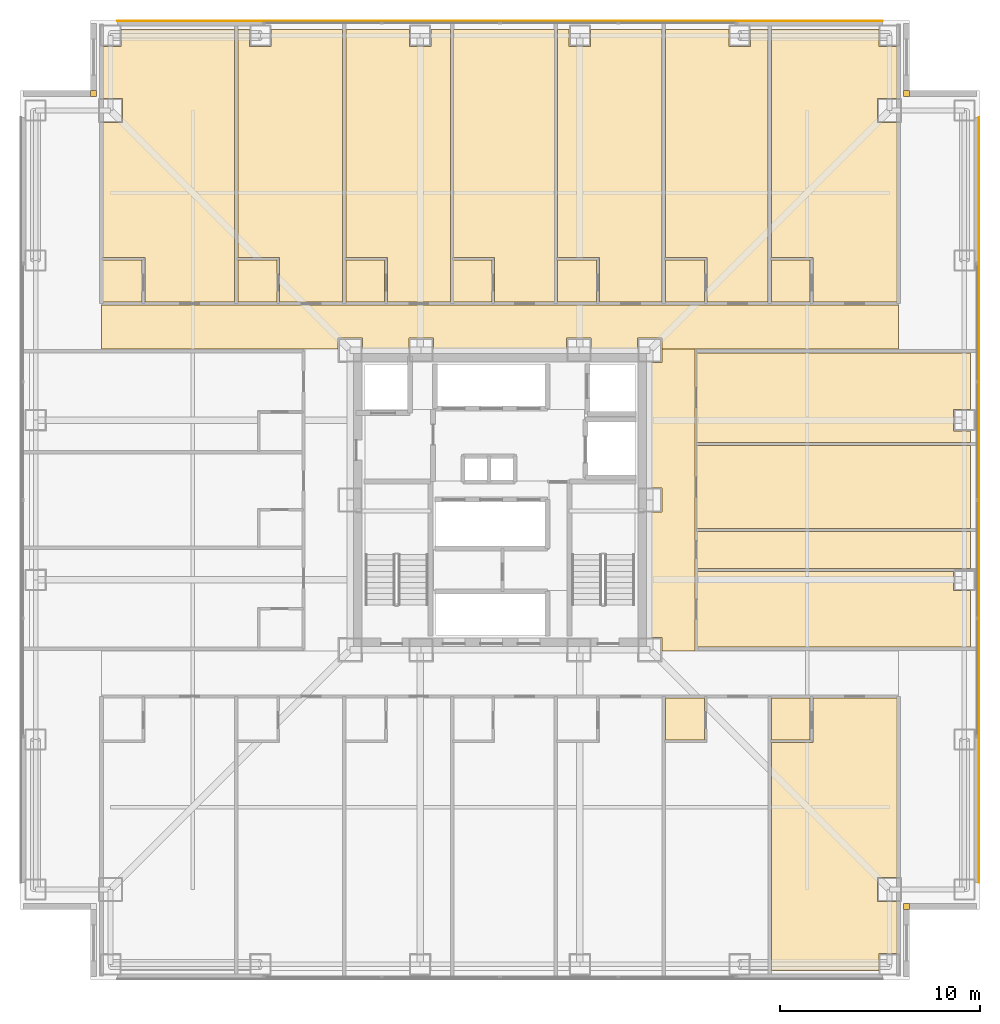
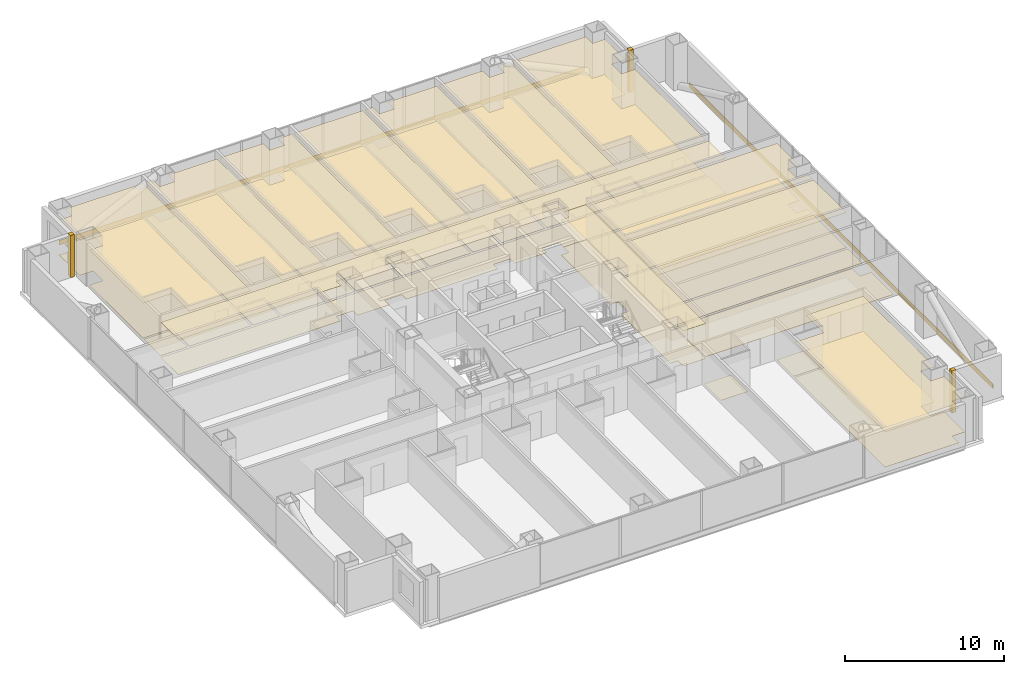
# One storey, part 23 of 23: 40 coverings.
"""IFC4 building model written with IfcOpenShell, lengths in metres."""

from ifc_helpers import new_model, si_unit, direction, frame, frame_2d, origin, place, context, subcontext, project, spatial, polyline, rectangle, outline, extrude, material, layer, layer_set, type_object, element, save


model = new_model("IFC4")

# Units and contexts
model_context = context("Model", 3, precision=1e-05, world=origin(), true_north=direction((0.0, 1.0)))
body_context = subcontext(model_context, "Body", "Model", "MODEL_VIEW")
ifc_project = project(units=[si_unit("LENGTHUNIT", "METRE"), si_unit("AREAUNIT", "SQUARE_METRE"), si_unit("VOLUMEUNIT", "CUBIC_METRE"), si_unit("PLANEANGLEUNIT", "RADIAN"), si_unit("MASSUNIT", "GRAM", prefix="KILO")], contexts=[model_context])

# Site, building, storey
site_placement = place(None, origin())
site = spatial("IfcSite", under=ifc_project, at=site_placement, CompositionType="ELEMENT")
building_placement = place(site_placement, origin())
building = spatial("IfcBuilding", under=site, at=building_placement, Name="Trevonay Congress Spire", CompositionType="ELEMENT")
storey_placement = place(building_placement, frame((0.0, 0.0, 34.0)))
storey = spatial("IfcBuildingStorey", under=building, at=storey_placement, Name="L07", CompositionType="ELEMENT", Elevation=34.0)

# Coverings
ifc_material_1 = material(Name="Acoustic Mineral Fibre Board", Category="gypsum")
ifc_layer_1 = layer(ifc_material_1, 0.02490234375, Name="Acoustic Mineral Fibre Board")
ifc_layer_set_1 = layer_set([ifc_layer_1], Name="Acoustic Mineral Fibre Board")
covering_type_1 = type_object("IfcCoveringType", Name="COV-CEIL-ACOUSTIC", PredefinedType="CEILING", material=ifc_layer_set_1)
covering_1_placement = place(storey_placement, frame((0.0, 0.0, 2.699951171875)))
element("IfcCovering", 1, at=covering_1_placement, inside=storey, type_object=covering_type_1, Name="L07 Hotel Floor Corridor North acoustic suspended ceiling", PredefinedType="CEILING", context=body_context, shape_type="SweptSolid", body=[
    extrude(outline(polyline([(-19.949951171875, 7.550048828125), (-19.949951171875, 9.75), (19.949951171875, 9.75), (19.949951171875, 7.550048828125), (8.110107421875, 7.550048828125), (8.110107421875, 8.110107421875), (6.889892578125, 8.110107421875), (6.889892578125, 7.550048828125), (4.56005859375, 7.550048828125), (4.56005859375, 8.110107421875), (3.340087890625, 8.110107421875), (3.340087890625, 7.550048828125), (-3.340087890625, 7.550048828125), (-3.340087890625, 8.110107421875), (-4.56005859375, 8.110107421875), (-4.56005859375, 7.550048828125), (-6.889892578125, 7.550048828125), (-6.889892578125, 8.110107421875), (-8.110107421875, 8.110107421875), (-8.110107421875, 7.550048828125), (-19.949951171875, 7.550048828125)])), origin(), (0.0, 0.0, 1.0), 0.025146484375),
])
covering_2_placement = place(storey_placement, frame((0.0, 0.0, 2.699951171875)))
element("IfcCovering", 2, at=covering_2_placement, inside=storey, type_object=covering_type_1, Name="L07 Hotel Floor Corridor East acoustic suspended ceiling", PredefinedType="CEILING", context=body_context, shape_type="SweptSolid", body=[
    extrude(outline(polyline([(9.75, -7.550048828125), (8.110107421875, -7.550048828125), (8.110107421875, -6.889892578125), (7.550048828125, -6.889892578125), (7.550048828125, -0.610107421875), (8.110107421875, -0.610107421875), (8.110107421875, 0.610107421875), (7.550048828125, 0.610107421875), (7.550048828125, 6.889892578125), (8.110107421875, 6.889892578125), (8.110107421875, 7.550048828125), (9.75, 7.550048828125), (9.75, -7.550048828125)])), origin(), (0.0, 0.0, 1.0), 0.025146484375),
])
covering_3_placement = place(storey_placement, frame((0.0, 0.0, 2.699951171875)))
element("IfcCovering", 3, at=covering_3_placement, inside=storey, type_object=covering_type_1, Name="L07 Corner Hotel Suite acoustic suspended ceiling", PredefinedType="CEILING", context=body_context, shape_type="SweptSolid", body=[
    extrude(outline(polyline([(13.580078125, -23.550048828125), (13.580078125, -12.139892578125), (15.669921875, -12.139892578125), (15.669921875, -9.909912109375), (19.8701171875, -9.909912109375), (19.8701171875, -18.889892578125), (18.889892578125, -18.889892578125), (18.889892578125, -20.110107421875), (19.8701171875, -20.110107421875), (19.8701171875, -22.715087890625), (18.965087890625, -22.715087890625), (18.965087890625, -23.550048828125), (13.580078125, -23.550048828125)])), origin(), (0.0, 0.0, 1.0), 0.025146484375),
])
covering_4_placement = place(storey_placement, frame((0.0, 0.0, 2.699951171875)))
element("IfcCovering", 4, at=covering_4_placement, inside=storey, type_object=covering_type_1, Name="L07 Corner Hotel Suite acoustic suspended ceiling", PredefinedType="CEILING", context=body_context, shape_type="SweptSolid", body=[
    extrude(outline(polyline([(-13.280029296875, 23.550048828125), (-13.280029296875, 9.909912109375), (-17.780029296875, 9.909912109375), (-17.780029296875, 12.139892578125), (-19.8701171875, 12.139892578125), (-19.8701171875, 18.889892578125), (-18.889892578125, 18.889892578125), (-18.889892578125, 20.110107421875), (-19.8701171875, 20.110107421875), (-19.8701171875, 22.715087890625), (-18.965087890625, 22.715087890625), (-18.965087890625, 23.550048828125), (-13.280029296875, 23.550048828125)])), origin(), (0.0, 0.0, 1.0), 0.025146484375),
])
covering_5_placement = place(storey_placement, frame((0.0, 0.0, 2.699951171875)))
element("IfcCovering", 5, at=covering_5_placement, inside=storey, type_object=covering_type_1, Name="L07 Hotel Guest Room acoustic suspended ceiling", PredefinedType="CEILING", context=body_context, shape_type="SweptSolid", body=[
    extrude(outline(polyline([(-7.8798828125, 23.550048828125), (-7.8798828125, 9.909912109375), (-11.030029296875, 9.909912109375), (-11.030029296875, 12.139892578125), (-13.1201171875, 12.139892578125), (-13.1201171875, 23.550048828125), (-12.534912109375, 23.550048828125), (-12.534912109375, 22.715087890625), (-11.465087890625, 22.715087890625), (-11.465087890625, 23.550048828125), (-7.8798828125, 23.550048828125)])), origin(), (0.0, 0.0, 1.0), 0.025146484375),
])
covering_6_placement = place(storey_placement, frame((0.0, 0.0, 2.699951171875)))
element("IfcCovering", 6, at=covering_6_placement, inside=storey, type_object=covering_type_1, Name="L07 Hotel Guest Room acoustic suspended ceiling", PredefinedType="CEILING", context=body_context, shape_type="SweptSolid", body=[
    extrude(outline(polyline([(-2.47998046875, 23.550048828125), (-2.47998046875, 9.909912109375), (-5.6298828125, 9.909912109375), (-5.6298828125, 12.139892578125), (-7.719970703125, 12.139892578125), (-7.719970703125, 23.550048828125), (-4.534912109375, 23.550048828125), (-4.534912109375, 22.715087890625), (-3.465087890625, 22.715087890625), (-3.465087890625, 23.550048828125), (-2.47998046875, 23.550048828125)])), origin(), (0.0, 0.0, 1.0), 0.025146484375),
])
covering_7_placement = place(storey_placement, frame((0.0, 0.0, 2.699951171875)))
element("IfcCovering", 7, at=covering_7_placement, inside=storey, type_object=covering_type_1, Name="L07 Hotel Guest Room acoustic suspended ceiling", PredefinedType="CEILING", context=body_context, shape_type="SweptSolid", body=[
    extrude(outline(polyline([(-0.264892578125, 9.909912109375), (2.719970703125, 9.909912109375), (2.719970703125, 23.550048828125), (-2.320068359375, 23.550048828125), (-2.320068359375, 12.139892578125), (-0.264892578125, 12.139892578125), (-0.264892578125, 9.909912109375)])), origin(), (0.0, 0.0, 1.0), 0.025146484375),
])
covering_8_placement = place(storey_placement, frame((0.0, 0.0, 2.699951171875)))
element("IfcCovering", 8, at=covering_8_placement, inside=storey, type_object=covering_type_1, Name="L07 Hotel Guest Room acoustic suspended ceiling", PredefinedType="CEILING", context=body_context, shape_type="SweptSolid", body=[
    extrude(outline(polyline([(8.1201171875, 23.550048828125), (8.1201171875, 9.909912109375), (4.969970703125, 9.909912109375), (4.969970703125, 12.139892578125), (2.8798828125, 12.139892578125), (2.8798828125, 23.550048828125), (3.465087890625, 23.550048828125), (3.465087890625, 22.715087890625), (4.534912109375, 22.715087890625), (4.534912109375, 23.550048828125), (8.1201171875, 23.550048828125)])), origin(), (0.0, 0.0, 1.0), 0.025146484375),
])
covering_9_placement = place(storey_placement, frame((0.0, 0.0, 2.699951171875)))
element("IfcCovering", 9, at=covering_9_placement, inside=storey, type_object=covering_type_1, Name="L07 Hotel Guest Room acoustic suspended ceiling", PredefinedType="CEILING", context=body_context, shape_type="SweptSolid", body=[
    extrude(outline(polyline([(13.419921875, 23.550048828125), (13.419921875, 9.909912109375), (10.3701171875, 9.909912109375), (10.3701171875, 12.139892578125), (8.280029296875, 12.139892578125), (8.280029296875, 23.550048828125), (11.465087890625, 23.550048828125), (11.465087890625, 22.715087890625), (12.534912109375, 22.715087890625), (12.534912109375, 23.550048828125), (13.419921875, 23.550048828125)])), origin(), (0.0, 0.0, 1.0), 0.025146484375),
])
covering_10_placement = place(storey_placement, frame((0.0, 0.0, 2.699951171875)))
element("IfcCovering", 10, at=covering_10_placement, inside=storey, type_object=covering_type_1, Name="L07 Corner Hotel Suite acoustic suspended ceiling", PredefinedType="CEILING", context=body_context, shape_type="SweptSolid", body=[
    extrude(outline(polyline([(19.8701171875, 9.909912109375), (15.669921875, 9.909912109375), (15.669921875, 12.139892578125), (13.580078125, 12.139892578125), (13.580078125, 23.550048828125), (18.965087890625, 23.550048828125), (18.965087890625, 22.715087890625), (19.8701171875, 22.715087890625), (19.8701171875, 20.110107421875), (18.889892578125, 20.110107421875), (18.889892578125, 18.889892578125), (19.8701171875, 18.889892578125), (19.8701171875, 9.909912109375)])), origin(), (0.0, 0.0, 1.0), 0.025146484375),
])
covering_11_placement = place(storey_placement, frame((0.0, 0.0, 2.699951171875)))
element("IfcCovering", 11, at=covering_11_placement, inside=storey, type_object=covering_type_1, Name="L07 Hotel Room-Service Pantry acoustic suspended ceiling", PredefinedType="CEILING", context=body_context, shape_type="SweptSolid", body=[
    extrude(outline(polyline([(9.830078125, -1.419921875), (23.550048828125, -1.419921875), (23.550048828125, 2.719970703125), (9.830078125, 2.719970703125), (9.830078125, -1.419921875)])), origin(), (0.0, 0.0, 1.0), 0.025146484375),
])
covering_12_placement = place(storey_placement, frame((0.0, 0.0, 2.699951171875)))
element("IfcCovering", 12, at=covering_12_placement, inside=storey, type_object=covering_type_1, Name="L07 Guest Concierge Desk Office acoustic suspended ceiling", PredefinedType="CEILING", context=body_context, shape_type="SweptSolid", body=[
    extrude(outline(polyline([(23.550048828125, 2.8798828125), (9.830078125, 2.8798828125), (9.830078125, 7.3701171875), (23.550048828125, 7.3701171875), (23.550048828125, 4.534912109375), (22.715087890625, 4.534912109375), (22.715087890625, 3.465087890625), (23.550048828125, 3.465087890625), (23.550048828125, 2.8798828125)])), origin(), (0.0, 0.0, 1.0), 0.025146484375),
])
ifc_material_2 = material(Name="Polished Granite Floor Tile", Category="masonry")
ifc_layer_2 = layer(ifc_material_2, 0.02001953125, Name="Polished Granite Floor Tile")
ifc_layer_set_2 = layer_set([ifc_layer_2], Name="Polished Granite Floor Tile")
covering_type_2 = type_object("IfcCoveringType", Name="COV-FLOOR-STONE", PredefinedType="FLOORING", material=ifc_layer_set_2)
covering_13_placement = place(storey_placement, origin())
element("IfcCovering", 13, at=covering_13_placement, inside=storey, type_object=covering_type_2, Name="L07 Hotel Floor Corridor North floor finish", PredefinedType="FLOORING", context=body_context, shape_type="SweptSolid", body=[
    extrude(outline(polyline([(-19.949951171875, 7.550048828125), (-19.949951171875, 9.75), (19.949951171875, 9.75), (19.949951171875, 7.550048828125), (8.110107421875, 7.550048828125), (8.110107421875, 8.110107421875), (6.889892578125, 8.110107421875), (6.889892578125, 7.550048828125), (4.56005859375, 7.550048828125), (4.56005859375, 8.110107421875), (3.340087890625, 8.110107421875), (3.340087890625, 7.550048828125), (-3.340087890625, 7.550048828125), (-3.340087890625, 8.110107421875), (-4.56005859375, 8.110107421875), (-4.56005859375, 7.550048828125), (-6.889892578125, 7.550048828125), (-6.889892578125, 8.110107421875), (-8.110107421875, 8.110107421875), (-8.110107421875, 7.550048828125), (-19.949951171875, 7.550048828125)])), origin(), (0.0, 0.0, 1.0), 0.02001953125),
])
covering_14_placement = place(storey_placement, origin())
element("IfcCovering", 14, at=covering_14_placement, inside=storey, type_object=covering_type_2, Name="L07 Hotel Floor Corridor East floor finish", PredefinedType="FLOORING", context=body_context, shape_type="SweptSolid", body=[
    extrude(outline(polyline([(9.75, -7.550048828125), (8.110107421875, -7.550048828125), (8.110107421875, -6.889892578125), (7.550048828125, -6.889892578125), (7.550048828125, -0.610107421875), (8.110107421875, -0.610107421875), (8.110107421875, 0.610107421875), (7.550048828125, 0.610107421875), (7.550048828125, 6.889892578125), (8.110107421875, 6.889892578125), (8.110107421875, 7.550048828125), (9.75, 7.550048828125), (9.75, -7.550048828125)])), origin(), (0.0, 0.0, 1.0), 0.02001953125),
])
covering_15_placement = place(storey_placement, origin())
element("IfcCovering", 15, at=covering_15_placement, inside=storey, type_object=covering_type_2, Name="L07 En-suite Bathroom floor finish", PredefinedType="FLOORING", context=body_context, shape_type="SweptSolid", body=[
    extrude(outline(polyline([(8.280029296875, -12.02001953125), (10.22998046875, -12.02001953125), (10.22998046875, -9.909912109375), (8.280029296875, -9.909912109375), (8.280029296875, -12.02001953125)])), origin(), (0.0, 0.0, 1.0), 0.02001953125),
])
covering_16_placement = place(storey_placement, origin())
element("IfcCovering", 16, at=covering_16_placement, inside=storey, type_object=covering_type_2, Name="L07 En-suite Bathroom floor finish", PredefinedType="FLOORING", context=body_context, shape_type="SweptSolid", body=[
    extrude(outline(polyline([(13.580078125, -12.02001953125), (15.530029296875, -12.02001953125), (15.530029296875, -9.909912109375), (13.580078125, -9.909912109375), (13.580078125, -12.02001953125)])), origin(), (0.0, 0.0, 1.0), 0.02001953125),
])
covering_17_placement = place(storey_placement, origin())
element("IfcCovering", 17, at=covering_17_placement, inside=storey, type_object=covering_type_2, Name="L07 En-suite Bathroom floor finish", PredefinedType="FLOORING", context=body_context, shape_type="SweptSolid", body=[
    extrude(outline(polyline([(-19.8701171875, 9.909912109375), (-17.919921875, 9.909912109375), (-17.919921875, 12.02001953125), (-19.8701171875, 12.02001953125), (-19.8701171875, 9.909912109375)])), origin(), (0.0, 0.0, 1.0), 0.02001953125),
])
covering_18_placement = place(storey_placement, origin())
element("IfcCovering", 18, at=covering_18_placement, inside=storey, type_object=covering_type_2, Name="L07 En-suite Bathroom floor finish", PredefinedType="FLOORING", context=body_context, shape_type="SweptSolid", body=[
    extrude(outline(polyline([(-13.1201171875, 9.909912109375), (-11.169921875, 9.909912109375), (-11.169921875, 12.02001953125), (-13.1201171875, 12.02001953125), (-13.1201171875, 9.909912109375)])), origin(), (0.0, 0.0, 1.0), 0.02001953125),
])
covering_19_placement = place(storey_placement, origin())
element("IfcCovering", 19, at=covering_19_placement, inside=storey, type_object=covering_type_2, Name="L07 En-suite Bathroom floor finish", PredefinedType="FLOORING", context=body_context, shape_type="SweptSolid", body=[
    extrude(outline(polyline([(-7.719970703125, 9.909912109375), (-5.77001953125, 9.909912109375), (-5.77001953125, 12.02001953125), (-7.719970703125, 12.02001953125), (-7.719970703125, 9.909912109375)])), origin(), (0.0, 0.0, 1.0), 0.02001953125),
])
covering_20_placement = place(storey_placement, origin())
element("IfcCovering", 20, at=covering_20_placement, inside=storey, type_object=covering_type_2, Name="L07 En-suite Bathroom floor finish", PredefinedType="FLOORING", context=body_context, shape_type="SweptSolid", body=[
    extrude(outline(polyline([(-2.320068359375, 9.909912109375), (-0.405029296875, 9.909912109375), (-0.405029296875, 12.02001953125), (-2.320068359375, 12.02001953125), (-2.320068359375, 9.909912109375)])), origin(), (0.0, 0.0, 1.0), 0.02001953125),
])
covering_21_placement = place(storey_placement, origin())
element("IfcCovering", 21, at=covering_21_placement, inside=storey, type_object=covering_type_2, Name="L07 En-suite Bathroom floor finish", PredefinedType="FLOORING", context=body_context, shape_type="SweptSolid", body=[
    extrude(outline(polyline([(2.8798828125, 9.909912109375), (4.830078125, 9.909912109375), (4.830078125, 12.02001953125), (2.8798828125, 12.02001953125), (2.8798828125, 9.909912109375)])), origin(), (0.0, 0.0, 1.0), 0.02001953125),
])
covering_22_placement = place(storey_placement, origin())
element("IfcCovering", 22, at=covering_22_placement, inside=storey, type_object=covering_type_2, Name="L07 En-suite Bathroom floor finish", PredefinedType="FLOORING", context=body_context, shape_type="SweptSolid", body=[
    extrude(outline(polyline([(8.280029296875, 9.909912109375), (10.22998046875, 9.909912109375), (10.22998046875, 12.02001953125), (8.280029296875, 12.02001953125), (8.280029296875, 9.909912109375)])), origin(), (0.0, 0.0, 1.0), 0.02001953125),
])
covering_23_placement = place(storey_placement, origin())
element("IfcCovering", 23, at=covering_23_placement, inside=storey, type_object=covering_type_2, Name="L07 En-suite Bathroom floor finish", PredefinedType="FLOORING", context=body_context, shape_type="SweptSolid", body=[
    extrude(outline(polyline([(13.580078125, 9.909912109375), (15.530029296875, 9.909912109375), (15.530029296875, 12.02001953125), (13.580078125, 12.02001953125), (13.580078125, 9.909912109375)])), origin(), (0.0, 0.0, 1.0), 0.02001953125),
])
covering_24_placement = place(storey_placement, origin())
element("IfcCovering", 24, at=covering_24_placement, inside=storey, type_object=covering_type_2, Name="L07 Housekeeping and Linen Room floor finish", PredefinedType="FLOORING", context=body_context, shape_type="SweptSolid", body=[
    extrude(outline(polyline([(23.550048828125, -7.3701171875), (9.830078125, -7.3701171875), (9.830078125, -3.580078125), (22.715087890625, -3.580078125), (22.715087890625, -4.534912109375), (23.550048828125, -4.534912109375), (23.550048828125, -7.3701171875)])), origin(), (0.0, 0.0, 1.0), 0.02001953125),
])
covering_25_placement = place(storey_placement, origin())
element("IfcCovering", 25, at=covering_25_placement, inside=storey, type_object=covering_type_2, Name="L07 Accessible WC floor finish", PredefinedType="FLOORING", context=body_context, shape_type="SweptSolid", body=[
    extrude(outline(polyline([(9.830078125, -3.419921875), (23.550048828125, -3.419921875), (23.550048828125, -1.580078125), (9.830078125, -1.580078125), (9.830078125, -3.419921875)])), origin(), (0.0, 0.0, 1.0), 0.02001953125),
])
covering_26_placement = place(storey_placement, origin())
element("IfcCovering", 26, at=covering_26_placement, inside=storey, type_object=covering_type_2, Name="L07 Hotel Room-Service Pantry floor finish", PredefinedType="FLOORING", context=body_context, shape_type="SweptSolid", body=[
    extrude(outline(polyline([(9.830078125, -1.419921875), (23.550048828125, -1.419921875), (23.550048828125, 2.719970703125), (9.830078125, 2.719970703125), (9.830078125, -1.419921875)])), origin(), (0.0, 0.0, 1.0), 0.02001953125),
])
ifc_material_3 = material(Name="Engineered Oak Flooring", Category="wood")
ifc_layer_3 = layer(ifc_material_3, 0.01806640625, Name="Engineered Oak Flooring")
ifc_layer_set_3 = layer_set([ifc_layer_3], Name="Engineered Oak Flooring")
covering_type_3 = type_object("IfcCoveringType", Name="COV-FLOOR-TIMBER", PredefinedType="FLOORING", material=ifc_layer_set_3)
covering_27_placement = place(storey_placement, origin())
element("IfcCovering", 27, at=covering_27_placement, inside=storey, type_object=covering_type_3, Name="L07 Corner Hotel Suite floor finish", PredefinedType="FLOORING", context=body_context, shape_type="SweptSolid", body=[
    extrude(outline(polyline([(13.580078125, -23.550048828125), (13.580078125, -12.139892578125), (15.669921875, -12.139892578125), (15.669921875, -9.909912109375), (19.8701171875, -9.909912109375), (19.8701171875, -18.889892578125), (18.889892578125, -18.889892578125), (18.889892578125, -20.110107421875), (19.8701171875, -20.110107421875), (19.8701171875, -22.715087890625), (18.965087890625, -22.715087890625), (18.965087890625, -23.550048828125), (13.580078125, -23.550048828125)])), origin(), (0.0, 0.0, 1.0), 0.01806640625),
])
covering_28_placement = place(storey_placement, origin())
element("IfcCovering", 28, at=covering_28_placement, inside=storey, type_object=covering_type_3, Name="L07 Corner Hotel Suite floor finish", PredefinedType="FLOORING", context=body_context, shape_type="SweptSolid", body=[
    extrude(outline(polyline([(-13.280029296875, 23.550048828125), (-13.280029296875, 9.909912109375), (-17.780029296875, 9.909912109375), (-17.780029296875, 12.139892578125), (-19.8701171875, 12.139892578125), (-19.8701171875, 18.889892578125), (-18.889892578125, 18.889892578125), (-18.889892578125, 20.110107421875), (-19.8701171875, 20.110107421875), (-19.8701171875, 22.715087890625), (-18.965087890625, 22.715087890625), (-18.965087890625, 23.550048828125), (-13.280029296875, 23.550048828125)])), origin(), (0.0, 0.0, 1.0), 0.01806640625),
])
covering_29_placement = place(storey_placement, origin())
element("IfcCovering", 29, at=covering_29_placement, inside=storey, type_object=covering_type_3, Name="L07 Hotel Guest Room floor finish", PredefinedType="FLOORING", context=body_context, shape_type="SweptSolid", body=[
    extrude(outline(polyline([(-7.8798828125, 23.550048828125), (-7.8798828125, 9.909912109375), (-11.030029296875, 9.909912109375), (-11.030029296875, 12.139892578125), (-13.1201171875, 12.139892578125), (-13.1201171875, 23.550048828125), (-12.534912109375, 23.550048828125), (-12.534912109375, 22.715087890625), (-11.465087890625, 22.715087890625), (-11.465087890625, 23.550048828125), (-7.8798828125, 23.550048828125)])), origin(), (0.0, 0.0, 1.0), 0.01806640625),
])
covering_30_placement = place(storey_placement, origin())
element("IfcCovering", 30, at=covering_30_placement, inside=storey, type_object=covering_type_3, Name="L07 Hotel Guest Room floor finish", PredefinedType="FLOORING", context=body_context, shape_type="SweptSolid", body=[
    extrude(outline(polyline([(-2.47998046875, 23.550048828125), (-2.47998046875, 9.909912109375), (-5.6298828125, 9.909912109375), (-5.6298828125, 12.139892578125), (-7.719970703125, 12.139892578125), (-7.719970703125, 23.550048828125), (-4.534912109375, 23.550048828125), (-4.534912109375, 22.715087890625), (-3.465087890625, 22.715087890625), (-3.465087890625, 23.550048828125), (-2.47998046875, 23.550048828125)])), origin(), (0.0, 0.0, 1.0), 0.01806640625),
])
covering_31_placement = place(storey_placement, origin())
element("IfcCovering", 31, at=covering_31_placement, inside=storey, type_object=covering_type_3, Name="L07 Hotel Guest Room floor finish", PredefinedType="FLOORING", context=body_context, shape_type="SweptSolid", body=[
    extrude(outline(polyline([(-0.264892578125, 9.909912109375), (2.719970703125, 9.909912109375), (2.719970703125, 23.550048828125), (-2.320068359375, 23.550048828125), (-2.320068359375, 12.139892578125), (-0.264892578125, 12.139892578125), (-0.264892578125, 9.909912109375)])), origin(), (0.0, 0.0, 1.0), 0.01806640625),
])
covering_32_placement = place(storey_placement, origin())
element("IfcCovering", 32, at=covering_32_placement, inside=storey, type_object=covering_type_3, Name="L07 Hotel Guest Room floor finish", PredefinedType="FLOORING", context=body_context, shape_type="SweptSolid", body=[
    extrude(outline(polyline([(8.1201171875, 23.550048828125), (8.1201171875, 9.909912109375), (4.969970703125, 9.909912109375), (4.969970703125, 12.139892578125), (2.8798828125, 12.139892578125), (2.8798828125, 23.550048828125), (3.465087890625, 23.550048828125), (3.465087890625, 22.715087890625), (4.534912109375, 22.715087890625), (4.534912109375, 23.550048828125), (8.1201171875, 23.550048828125)])), origin(), (0.0, 0.0, 1.0), 0.01806640625),
])
covering_33_placement = place(storey_placement, origin())
element("IfcCovering", 33, at=covering_33_placement, inside=storey, type_object=covering_type_3, Name="L07 Hotel Guest Room floor finish", PredefinedType="FLOORING", context=body_context, shape_type="SweptSolid", body=[
    extrude(outline(polyline([(13.419921875, 23.550048828125), (13.419921875, 9.909912109375), (10.3701171875, 9.909912109375), (10.3701171875, 12.139892578125), (8.280029296875, 12.139892578125), (8.280029296875, 23.550048828125), (11.465087890625, 23.550048828125), (11.465087890625, 22.715087890625), (12.534912109375, 22.715087890625), (12.534912109375, 23.550048828125), (13.419921875, 23.550048828125)])), origin(), (0.0, 0.0, 1.0), 0.01806640625),
])
covering_34_placement = place(storey_placement, origin())
element("IfcCovering", 34, at=covering_34_placement, inside=storey, type_object=covering_type_3, Name="L07 Corner Hotel Suite floor finish", PredefinedType="FLOORING", context=body_context, shape_type="SweptSolid", body=[
    extrude(outline(polyline([(19.8701171875, 9.909912109375), (15.669921875, 9.909912109375), (15.669921875, 12.139892578125), (13.580078125, 12.139892578125), (13.580078125, 23.550048828125), (18.965087890625, 23.550048828125), (18.965087890625, 22.715087890625), (19.8701171875, 22.715087890625), (19.8701171875, 20.110107421875), (18.889892578125, 20.110107421875), (18.889892578125, 18.889892578125), (19.8701171875, 18.889892578125), (19.8701171875, 9.909912109375)])), origin(), (0.0, 0.0, 1.0), 0.01806640625),
])
covering_35_placement = place(storey_placement, origin())
element("IfcCovering", 35, at=covering_35_placement, inside=storey, type_object=covering_type_3, Name="L07 Guest Concierge Desk Office floor finish", PredefinedType="FLOORING", context=body_context, shape_type="SweptSolid", body=[
    extrude(outline(polyline([(23.550048828125, 2.8798828125), (9.830078125, 2.8798828125), (9.830078125, 7.3701171875), (23.550048828125, 7.3701171875), (23.550048828125, 4.534912109375), (22.715087890625, 4.534912109375), (22.715087890625, 3.465087890625), (23.550048828125, 3.465087890625), (23.550048828125, 2.8798828125)])), origin(), (0.0, 0.0, 1.0), 0.01806640625),
])
ifc_material_4 = material(Name="Pale Anodised Aluminium EN AW-6063-T6", Category="aluminium")
ifc_layer_4 = layer(ifc_material_4, 0.0400390625, Name="Pale Anodised Aluminium EN AW-6063-T6")
ifc_layer_set_4 = layer_set([ifc_layer_4], Name="Pale Anodised Aluminium EN AW-6063-T6")
covering_type_4 = type_object("IfcCoveringType", Name="COV-SPANDREL-PALE-METAL", PredefinedType="CLADDING", material=ifc_layer_set_4)
for number, where, z_axis, x_axis, name in (
    (36, (-19.14990234375, 23.97998046875, -0.239990234375), (0.0, 0.0, 1.0), (1.0, 0.0, 0.0), "L07 N pale-metal slab-edge spandrel cladding"),
    (37, (23.97998046875, -19.14990234375, -0.239990234375), (0.0, 0.0, 1.0), (0.0, 1.0, 0.0), "L07 E pale-metal slab-edge spandrel cladding"),
):
    element("IfcCovering", number, at=place(storey_placement, frame(where, z_axis=z_axis, x_axis=x_axis)), inside=storey, type_object=covering_type_4, Name=name, PredefinedType="CLADDING", context=body_context, shape_type="SweptSolid", body=[
        extrude(rectangle(XDim=38.2998046875, YDim=0.0400390625, at=frame_2d((19.14990234375, 0.0))), origin(), (0.0, 0.0, 1.0), 0.360107421875),
    ])
covering_36_placement = place(storey_placement, origin())
element("IfcCovering", 38, at=covering_36_placement, inside=storey, type_object=covering_type_4, Name="L07 SE re-entrant notch corner closure trim", PredefinedType="CLADDING", context=body_context, shape_type="SweptSolid", body=[
    extrude(outline(polyline([(20.199951171875, -20.5), (20.5, -20.5), (20.5, -20.199951171875), (20.199951171875, -20.199951171875), (20.199951171875, -20.5)])), origin(), (0.0, 0.0, 1.0), 3.25),
])
covering_37_placement = place(storey_placement, origin())
element("IfcCovering", 39, at=covering_37_placement, inside=storey, type_object=covering_type_4, Name="L07 NE re-entrant notch corner closure trim", PredefinedType="CLADDING", context=body_context, shape_type="SweptSolid", body=[
    extrude(outline(polyline([(20.199951171875, 20.199951171875), (20.5, 20.199951171875), (20.5, 20.5), (20.199951171875, 20.5), (20.199951171875, 20.199951171875)])), origin(), (0.0, 0.0, 1.0), 3.25),
])
covering_38_placement = place(storey_placement, origin())
element("IfcCovering", 40, at=covering_38_placement, inside=storey, type_object=covering_type_4, Name="L07 NW re-entrant notch corner closure trim", PredefinedType="CLADDING", context=body_context, shape_type="SweptSolid", body=[
    extrude(outline(polyline([(-20.5, 20.199951171875), (-20.199951171875, 20.199951171875), (-20.199951171875, 20.5), (-20.5, 20.5), (-20.5, 20.199951171875)])), origin(), (0.0, 0.0, 1.0), 3.25),
])

save(model, "model.ifc")
